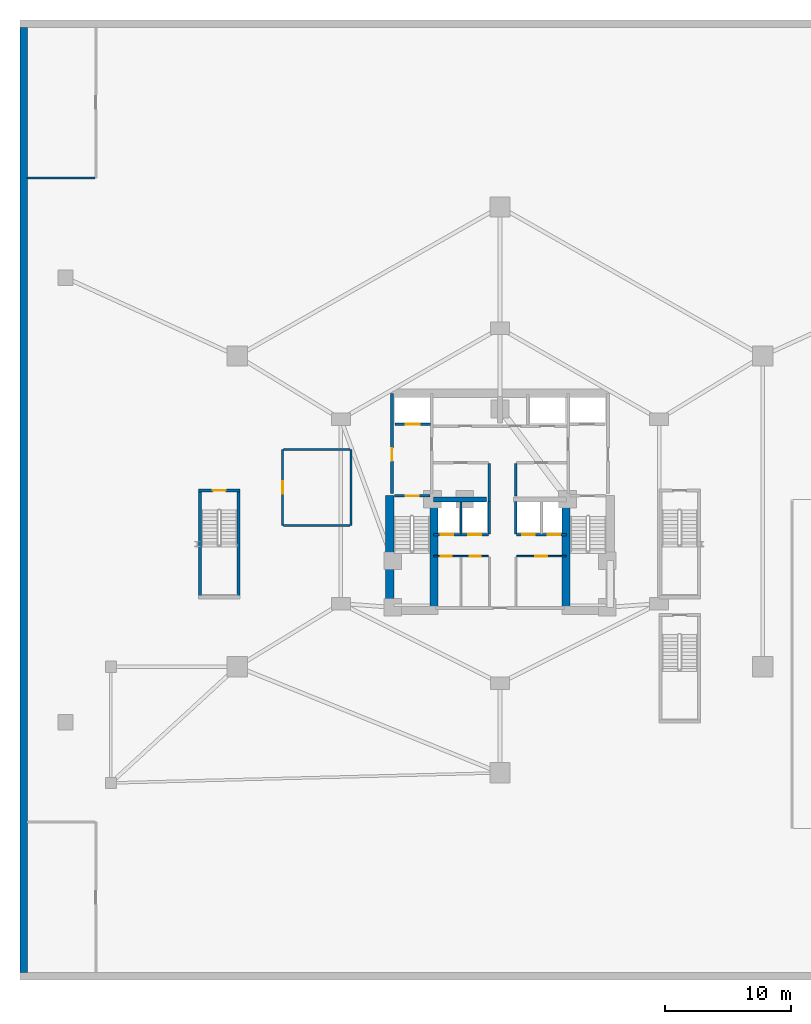
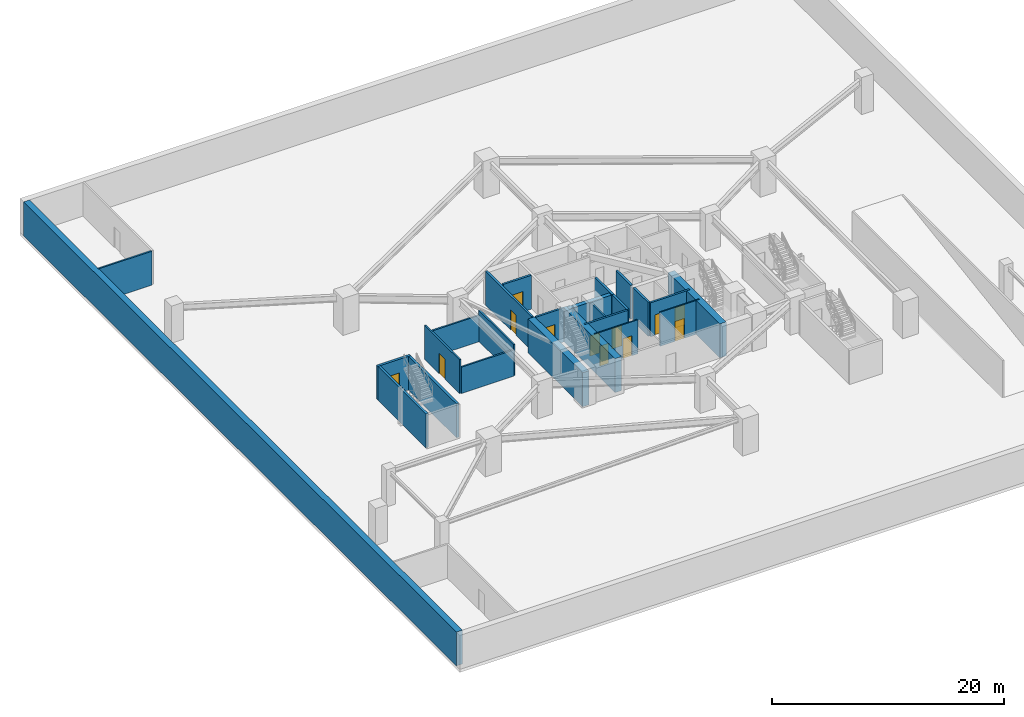
# One storey, part 6 of 12: 25 walls, 12 doors, 12 openings.
"""IFC4 building model written with IfcOpenShell, lengths in metres."""

from ifc_helpers import new_model, si_unit, direction, frame, frame_2d, origin, place, context, subcontext, project, spatial, rectangle, extrude, material, layer, layer_set, type_object, element, fill, save


model = new_model("IFC4")

# Units and contexts
model_context = context("Model", 3, precision=1e-05, world=origin(), true_north=direction((0.0, 1.0)))
body_context = subcontext(model_context, "Body", "Model", "MODEL_VIEW")
ifc_project = project(units=[si_unit("LENGTHUNIT", "METRE"), si_unit("AREAUNIT", "SQUARE_METRE"), si_unit("VOLUMEUNIT", "CUBIC_METRE"), si_unit("PLANEANGLEUNIT", "RADIAN"), si_unit("MASSUNIT", "GRAM", prefix="KILO")], contexts=[model_context])

# Site, building, storey
site_placement = place(None, origin())
site = spatial("IfcSite", under=ifc_project, at=site_placement, CompositionType="ELEMENT")
building_placement = place(site_placement, origin())
building = spatial("IfcBuilding", under=site, at=building_placement, Name="Miruveldt Soraemaru", CompositionType="ELEMENT")
storey_placement = place(building_placement, frame((0.0, 0.0, -11.699951171875)))
storey = spatial("IfcBuildingStorey", under=building, at=storey_placement, Name="B3", CompositionType="ELEMENT", Elevation=-11.699951171875)

# Wall
ifc_material_1 = material(Name="Concrete C70/85 (70 MPa)", Category="concrete")
ifc_layer_1 = layer(ifc_material_1, 0.5, Name="Concrete C70/85 (70 MPa)", Category="concrete")
ifc_layer_set_1 = layer_set([ifc_layer_1], Name="Concrete C70/85 (70 MPa)")
wall_type_1 = type_object("IfcWallType", Name="WALL-BW-500", PredefinedType="SHEAR", material=ifc_layer_set_1)
wall_1_placement = place(storey_placement, frame((38.75, 44.050048828125, 0.0), z_axis=(0.0, 0.0, 1.0), x_axis=(1.0, 0.0, 0.0)))
element("IfcWall", 1, at=wall_1_placement, inside=storey, type_object=wall_type_1, Name="B3 Core Buttress Shear Wall BW", PredefinedType="SHEAR", context=body_context, shape_type="SweptSolid", body=[
    extrude(rectangle(XDim=4.199951171875, YDim=0.39990234375, at=frame_2d((2.10009765625, 0.0))), origin(), (0.0, 0.0, 1.0), 3.579833984375),
])

# Wall, opening, door
ifc_material_2 = material(Name="Concrete C50/60 (50 MPa)", Category="concrete")
ifc_layer_2 = layer(ifc_material_2, 0.419921875, Name="Concrete C50/60 (50 MPa)", Category="concrete")
ifc_layer_set_2 = layer_set([ifc_layer_2], Name="Concrete C50/60 (50 MPa)")
wall_type_2 = type_object("IfcWallType", Name="WALL-CW-420", PredefinedType="SHEAR", material=ifc_layer_set_2)
wall_2_placement = place(storey_placement, frame((20.1298828125, 44.75, 0.0), z_axis=(0.0, 0.0, 1.0), x_axis=(1.0, 0.0, 0.0)))
wall_2 = element("IfcWall", 2, at=wall_2_placement, inside=storey, type_object=wall_type_2, Name="B3 Protected Exit Stair ST-3 Structural Shaft Wall N", PredefinedType="SHEAR", context=body_context, shape_type="SweptSolid", body=[
    extrude(rectangle(XDim=3.2900390625, YDim=0.239990234375, at=frame_2d((1.64501953125, 0.0))), origin(), (0.0, 0.0, 1.0), 3.579833984375),
])
opening_1_placement = place(wall_2_placement, frame((1.14501953125, 0.0, 0.0)))
opening_1 = element("IfcOpeningElement", 3, at=opening_1_placement, cuts=wall_2, Name="Opening FD1", PredefinedType="OPENING", context=body_context, shape_type="SweptSolid", body=[
    extrude(rectangle(XDim=1.0, YDim=2.14990234375, at=frame_2d((0.5, 1.074951171875))), frame((0.0, 0.1298828125, 0.0), z_axis=(0.0, -1.0, 0.0), x_axis=(1.0, 0.0, 0.0)), (0.0, 0.0, 1.0), 0.260009765625),
])
ifc_material_3 = material(Name="Anodised aluminium EN AW-6063 T6", Category="aluminium")
door_type_1 = type_object("IfcDoorType", Name="DOOR-FD1-1000", OperationType="NOTDEFINED", PredefinedType="DOOR", material=ifc_material_3)
door_1_placement = place(opening_1_placement, frame((1.0, 0.0, 0.0), z_axis=(0.0, 0.0, 1.0), x_axis=(-1.0, 0.0, 0.0)))
door_1 = element("IfcDoor", 4, at=door_1_placement, inside=storey, type_object=door_type_1, Name="B3 Protected Exit Stair ST-3 Fire Door", OperationType="SINGLE_SWING_LEFT", OverallHeight=2.14990234375, OverallWidth=1.0, PredefinedType="DOOR", context=body_context, shape_type="SweptSolid", body=[
    extrude(rectangle(XDim=1.0, YDim=2.14990234375, at=frame_2d((0.5, 1.074951171875))), frame((0.0, 0.02490234375, 0.0), z_axis=(0.0, -1.0, 0.0), x_axis=(1.0, 0.0, 0.0)), (0.0, 0.0, 1.0), 0.050048828125),
])
fill(opening_1, door_1)

# Walls
for number, where, z_axis, x_axis, name in (
    (5, (20.25, 36.35009765625, 0.0), (0.0, 0.0, 1.0), (0.0, 1.0, 0.0), "B3 Protected Exit Stair ST-3 Structural Shaft Wall W"),
    (6, (23.300048828125, 36.35009765625, 0.0), (0.0, 0.0, 1.0), (0.0, 1.0, 0.0), "B3 Protected Exit Stair ST-3 Structural Shaft Wall E"),
):
    element("IfcWall", number, at=place(storey_placement, frame(where, z_axis=z_axis, x_axis=x_axis)), inside=storey, type_object=wall_type_2, Name=name, PredefinedType="SHEAR", context=body_context, shape_type="SweptSolid", body=[
        extrude(rectangle(XDim=8.349853515625, YDim=0.239990234375, at=frame_2d((4.1748046875, 0.0))), origin(), (0.0, 0.0, 1.0), 3.579833984375),
    ])
ifc_material_4 = material(Name="Concrete C80/95 (80 MPa)", Category="concrete")
ifc_layer_3 = layer(ifc_material_4, 0.64990234375, Name="Concrete C80/95 (80 MPa)", Category="concrete")
ifc_layer_set_3 = layer_set([ifc_layer_3], Name="Concrete C80/95 (80 MPa)")
wall_type_3 = type_object("IfcWallType", Name="WALL-CW-650", PredefinedType="SHEAR", material=ifc_layer_set_3)
wall_3_placement = place(storey_placement, frame((35.27490234375, 34.949951171875, 0.0), z_axis=(0.0, 0.0, 1.0), x_axis=(0.0, 1.0, 0.0)))
element("IfcWall", 7, at=wall_3_placement, inside=storey, type_object=wall_type_3, Name="B3 Central Core Shear Wall W1", PredefinedType="SHEAR", context=body_context, shape_type="SweptSolid", body=[
    extrude(rectangle(XDim=9.400146484375, YDim=0.64990234375, at=frame_2d((4.7001953125, 0.0))), origin(), (0.0, 0.0, 1.0), 3.579833984375),
])
for number, where, z_axis, x_axis, name in (
    (8, (38.77490234375, 35.39990234375, 0.0), (0.0, 0.0, 1.0), (0.0, 1.0, 0.0), "B3 Central Core Shear Wall SW-INT"),
    (9, (49.22509765625, 35.39990234375, 0.0), (0.0, 0.0, 1.0), (0.0, 1.0, 0.0), "B3 Central Core Shear Wall SE-INT"),
):
    element("IfcWall", number, at=place(storey_placement, frame(where, z_axis=z_axis, x_axis=x_axis)), inside=storey, type_object=wall_type_3, Name=name, PredefinedType="SHEAR", context=body_context, shape_type="SweptSolid", body=[
        extrude(rectangle(XDim=8.9501953125, YDim=0.64990234375, at=frame_2d((4.47509765625, 0.0))), origin(), (0.0, 0.0, 1.0), 3.579833984375),
    ])

# Wall, openings, doors
ifc_material_5 = material(Name="Gypsum plasterboard lining", Category="gypsum")
ifc_layer_4 = layer(ifc_material_5, 0.1201171875, Name="Gypsum plasterboard lining", Category="gypsum")
ifc_layer_set_4 = layer_set([ifc_layer_4], Name="Gypsum plasterboard lining")
wall_type_4 = type_object("IfcWallType", Name="WALL-INT-P120", PredefinedType="PARTITIONING", material=ifc_layer_set_4)
wall_4_placement = place(storey_placement, frame((38.75, 39.550048828125, 0.0), z_axis=(0.0, 0.0, 1.0), x_axis=(1.0, 0.0, 0.0)))
wall_4 = element("IfcWall", 10, at=wall_4_placement, inside=storey, type_object=wall_type_4, Name="B3 Core Compartment Wall CSW-N", PredefinedType="PARTITIONING", context=body_context, shape_type="SweptSolid", body=[
    extrude(rectangle(XDim=4.330078125, YDim=0.1201171875, at=frame_2d((2.1650390625, 0.0))), origin(), (0.0, 0.0, 1.0), 3.579833984375),
])
opening_2_placement = place(wall_4_placement, frame((0.56005859375, 0.0, 0.0)))
opening_2 = element("IfcOpeningElement", 11, at=opening_2_placement, cuts=wall_4, Name="Opening D4", PredefinedType="OPENING", context=body_context, shape_type="SweptSolid", body=[
    extrude(rectangle(XDim=0.8798828125, YDim=2.10009765625, at=frame_2d((0.43994140625, 1.050048828125))), frame((0.0, 0.070068359375, 0.0), z_axis=(0.0, -1.0, 0.0), x_axis=(1.0, 0.0, 0.0)), (0.0, 0.0, 1.0), 0.14013671875),
])
opening_3_placement = place(wall_4_placement, frame((2.860107421875, 0.0, 0.0)))
opening_3 = element("IfcOpeningElement", 12, at=opening_3_placement, cuts=wall_4, Name="Opening D4", PredefinedType="OPENING", context=body_context, shape_type="SweptSolid", body=[
    extrude(rectangle(XDim=0.8798828125, YDim=2.10009765625, at=frame_2d((0.43994140625, 1.050048828125))), frame((0.0, 0.070068359375, 0.0), z_axis=(0.0, -1.0, 0.0), x_axis=(1.0, 0.0, 0.0)), (0.0, 0.0, 1.0), 0.14013671875),
])
door_type_2 = type_object("IfcDoorType", Name="DOOR-INT-880", OperationType="NOTDEFINED", PredefinedType="DOOR", material=ifc_material_3)
door_2_placement = place(opening_2_placement, origin())
door_2 = element("IfcDoor", 13, at=door_2_placement, inside=storey, type_object=door_type_2, Name="B3 Fire Door", OperationType="SINGLE_SWING_LEFT", OverallHeight=2.10009765625, OverallWidth=0.8798828125, PredefinedType="DOOR", context=body_context, shape_type="SweptSolid", body=[
    extrude(rectangle(XDim=0.8798828125, YDim=2.10009765625, at=frame_2d((0.43994140625, 1.050048828125))), frame((0.0, 0.02490234375, 0.0), z_axis=(0.0, -1.0, 0.0), x_axis=(1.0, 0.0, 0.0)), (0.0, 0.0, 1.0), 0.050048828125),
])
fill(opening_2, door_2)
door_3_placement = place(opening_3_placement, origin())
door_3 = element("IfcDoor", 14, at=door_3_placement, inside=storey, type_object=door_type_2, Name="B3 Fire Door", OperationType="SINGLE_SWING_LEFT", OverallHeight=2.10009765625, OverallWidth=0.8798828125, PredefinedType="DOOR", context=body_context, shape_type="SweptSolid", body=[
    extrude(rectangle(XDim=0.8798828125, YDim=2.10009765625, at=frame_2d((0.43994140625, 1.050048828125))), frame((0.0, 0.02490234375, 0.0), z_axis=(0.0, -1.0, 0.0), x_axis=(1.0, 0.0, 0.0)), (0.0, 0.0, 1.0), 0.050048828125),
])
fill(opening_3, door_3)

# Wall, opening, door
wall_5_placement = place(storey_placement, frame((45.320068359375, 39.550048828125, 0.0), z_axis=(0.0, 0.0, 1.0), x_axis=(1.0, 0.0, 0.0)))
wall_5 = element("IfcWall", 15, at=wall_5_placement, inside=storey, type_object=wall_type_4, Name="B3 Core Compartment Wall CSE-N", PredefinedType="PARTITIONING", context=body_context, shape_type="SweptSolid", body=[
    extrude(rectangle(XDim=3.929931640625, YDim=0.1201171875, at=frame_2d((1.96484375, 0.0))), origin(), (0.0, 0.0, 1.0), 3.579833984375),
])
opening_4_placement = place(wall_5_placement, frame((1.489990234375, 0.0, 0.0)))
opening_4 = element("IfcOpeningElement", 16, at=opening_4_placement, cuts=wall_5, Name="Opening D3A", PredefinedType="OPENING", context=body_context, shape_type="SweptSolid", body=[
    extrude(rectangle(XDim=0.919921875, YDim=2.10009765625, at=frame_2d((0.4599609375, 1.050048828125))), frame((0.0, 0.070068359375, 0.0), z_axis=(0.0, -1.0, 0.0), x_axis=(1.0, 0.0, 0.0)), (0.0, 0.0, 1.0), 0.14013671875),
])
door_type_3 = type_object("IfcDoorType", Name="DOOR-INT-920", OperationType="NOTDEFINED", PredefinedType="DOOR", material=ifc_material_3)
door_4_placement = place(opening_4_placement, origin())
door_4 = element("IfcDoor", 17, at=door_4_placement, inside=storey, type_object=door_type_3, Name="B3 Fire Door", OperationType="SINGLE_SWING_LEFT", OverallHeight=2.10009765625, OverallWidth=0.919921875, PredefinedType="DOOR", context=body_context, shape_type="SweptSolid", body=[
    extrude(rectangle(XDim=0.919921875, YDim=2.10009765625, at=frame_2d((0.4599609375, 1.050048828125))), frame((0.0, 0.02490234375, 0.0), z_axis=(0.0, -1.0, 0.0), x_axis=(1.0, 0.0, 0.0)), (0.0, 0.0, 1.0), 0.050048828125),
])
fill(opening_4, door_4)

ifc_material_6 = material(Name="Concrete C40/50 (40 MPa)", Category="concrete")
ifc_layer_5 = layer(ifc_material_6, 0.159912109375, Name="Concrete C40/50 (40 MPa)", Category="concrete")
ifc_layer_set_5 = layer_set([ifc_layer_5], Name="Concrete C40/50 (40 MPa)")
wall_type_5 = type_object("IfcWallType", Name="WALL-INT-RC160", PredefinedType="SOLIDWALL", material=ifc_layer_set_5)
wall_6_placement = place(storey_placement, frame((26.800048828125, 42.0, 0.0), z_axis=(0.0, 0.0, 1.0), x_axis=(0.0, 1.0, 0.0)))
wall_6 = element("IfcWall", 18, at=wall_6_placement, inside=storey, type_object=wall_type_5, Name="B3 Partition Wall 5", PredefinedType="SOLIDWALL", context=body_context, shape_type="SweptSolid", body=[
    extrude(rectangle(XDim=6.0, YDim=0.159912109375, at=frame_2d((3.0, 0.0))), origin(), (0.0, 0.0, 1.0), 3.579833984375),
])
opening_5_placement = place(wall_6_placement, frame((2.5, 0.0, 0.0)))
opening_5 = element("IfcOpeningElement", 19, at=opening_5_placement, cuts=wall_6, Name="Opening FD1", PredefinedType="OPENING", context=body_context, shape_type="SweptSolid", body=[
    extrude(rectangle(XDim=1.0, YDim=2.14990234375, at=frame_2d((0.5, 1.074951171875))), frame((0.0, 0.08984375, 0.0), z_axis=(0.0, -1.0, 0.0), x_axis=(1.0, 0.0, 0.0)), (0.0, 0.0, 1.0), 0.179931640625),
])
door_5_placement = place(opening_5_placement, origin())
door_5 = element("IfcDoor", 20, at=door_5_placement, inside=storey, type_object=door_type_1, Name="B3 B3 Seasonal Resident Store Fire Door", OperationType="SINGLE_SWING_LEFT", OverallHeight=2.14990234375, OverallWidth=1.0, PredefinedType="DOOR", context=body_context, shape_type="SweptSolid", body=[
    extrude(rectangle(XDim=1.0, YDim=2.14990234375, at=frame_2d((0.5, 1.074951171875))), frame((0.0, 0.02490234375, 0.0), z_axis=(0.0, -1.0, 0.0), x_axis=(1.0, 0.0, 0.0)), (0.0, 0.0, 1.0), 0.050048828125),
])
fill(opening_5, door_5)

# Walls
wall_7_placement = place(storey_placement, frame((32.199951171875, 48.0, 0.0), z_axis=(0.0, 0.0, 1.0), x_axis=(0.0, -1.0, 0.0)))
element("IfcWall", 21, at=wall_7_placement, inside=storey, type_object=wall_type_5, Name="B3 Partition Wall 7", PredefinedType="SOLIDWALL", context=body_context, shape_type="SweptSolid", body=[
    extrude(rectangle(XDim=6.0, YDim=0.159912109375, at=frame_2d((3.0, 0.0))), origin(), (0.0, 0.0, 1.0), 3.26806640625),
])
wall_8_placement = place(storey_placement, frame((11.919921875, 69.5, 0.0), z_axis=(0.0, 0.0, 1.0), x_axis=(-1.0, 0.0, 0.0)))
element("IfcWall", 22, at=wall_8_placement, inside=storey, type_object=wall_type_5, Name="B3 Partition Wall 2", PredefinedType="SOLIDWALL", context=body_context, shape_type="SweptSolid", body=[
    extrude(rectangle(XDim=5.369873046875, YDim=0.159912109375, at=frame_2d((2.68505859375, 0.0))), origin(), (0.0, 0.0, 1.0), 3.579833984375),
])
for number, where, z_axis, x_axis, name in (
    (23, (26.8798828125, 48.0, 0.0), (0.0, 0.0, 1.0), (1.0, 0.0, 0.0), "B3 Partition Wall 6"),
    (24, (32.1201171875, 42.0, 0.0), (0.0, 0.0, 1.0), (-1.0, 0.0, 0.0), "B3 Partition Wall 8"),
):
    element("IfcWall", number, at=place(storey_placement, frame(where, z_axis=z_axis, x_axis=x_axis)), inside=storey, type_object=wall_type_5, Name=name, PredefinedType="SOLIDWALL", context=body_context, shape_type="SweptSolid", body=[
        extrude(rectangle(XDim=5.240234375, YDim=0.159912109375, at=frame_2d((2.6201171875, 0.0))), origin(), (0.0, 0.0, 1.0), 2.76806640625),
    ])
wall_9_placement = place(storey_placement, frame((40.89990234375, 41.320068359375, 0.0), z_axis=(0.0, 0.0, 1.0), x_axis=(0.0, 1.0, 0.0)))
element("IfcWall", 25, at=wall_9_placement, inside=storey, type_object=wall_type_5, Name="B3 Core Compartment Wall PLL-DW", PredefinedType="SOLIDWALL", context=body_context, shape_type="SweptSolid", body=[
    extrude(rectangle(XDim=2.530029296875, YDim=0.159912109375, at=frame_2d((1.26513671875, 0.0))), origin(), (0.0, 0.0, 1.0), 3.579833984375),
])

# Wall, opening, door
ifc_layer_6 = layer(ifc_material_6, 0.199951171875, Name="Concrete C40/50 (40 MPa)", Category="concrete")
ifc_layer_set_6 = layer_set([ifc_layer_6], Name="Concrete C40/50 (40 MPa)")
wall_type_6 = type_object("IfcWallType", Name="WALL-INT-RC200", PredefinedType="SOLIDWALL", material=ifc_layer_set_6)
wall_10_placement = place(storey_placement, frame((35.449951171875, 44.5, 0.0), z_axis=(0.0, 0.0, 1.0), x_axis=(0.0, 1.0, 0.0)))
wall_10 = element("IfcWall", 26, at=wall_10_placement, inside=storey, type_object=wall_type_6, Name="B3 Core Compartment Wall FFW-OUT", PredefinedType="SOLIDWALL", context=body_context, shape_type="SweptSolid", body=[
    extrude(rectangle(XDim=7.919921875, YDim=0.199951171875, at=frame_2d((3.9599609375, 0.0))), origin(), (0.0, 0.0, 1.0), 3.579833984375),
])
opening_6_placement = place(wall_10_placement, frame((2.60009765625, 0.0, 0.0)))
opening_6 = element("IfcOpeningElement", 27, at=opening_6_placement, cuts=wall_10, Name="Opening FD1", PredefinedType="OPENING", context=body_context, shape_type="SweptSolid", body=[
    extrude(rectangle(XDim=1.0, YDim=2.14990234375, at=frame_2d((0.5, 1.074951171875))), frame((0.0, 0.10986328125, 0.0), z_axis=(0.0, -1.0, 0.0), x_axis=(1.0, 0.0, 0.0)), (0.0, 0.0, 1.0), 0.219970703125),
])
door_6_placement = place(opening_6_placement, origin())
door_6 = element("IfcDoor", 28, at=door_6_placement, inside=storey, type_object=door_type_1, Name="B3 West Firefighting Lobby Exit Door", OperationType="SINGLE_SWING_LEFT", OverallHeight=2.14990234375, OverallWidth=1.0, PredefinedType="DOOR", context=body_context, shape_type="SweptSolid", body=[
    extrude(rectangle(XDim=1.0, YDim=2.14990234375, at=frame_2d((0.5, 1.074951171875))), frame((0.0, 0.02490234375, 0.0), z_axis=(0.0, -1.0, 0.0), x_axis=(1.0, 0.0, 0.0)), (0.0, 0.0, 1.0), 0.050048828125),
])
fill(opening_6, door_6)

# Wall, openings, doors
wall_11_placement = place(storey_placement, frame((38.75, 41.25, 0.0), z_axis=(0.0, 0.0, 1.0), x_axis=(1.0, 0.0, 0.0)))
wall_11 = element("IfcWall", 29, at=wall_11_placement, inside=storey, type_object=wall_type_6, Name="B3 Core Compartment Wall LBW-S", PredefinedType="SOLIDWALL", context=body_context, shape_type="SweptSolid", body=[
    extrude(rectangle(XDim=4.330078125, YDim=0.199951171875, at=frame_2d((2.1650390625, 0.0))), origin(), (0.0, 0.0, 1.0), 3.579833984375),
])
opening_7_placement = place(wall_11_placement, frame((0.550048828125, 0.0, 0.0)))
opening_7 = element("IfcOpeningElement", 30, at=opening_7_placement, cuts=wall_11, Name="Opening LD1B", PredefinedType="OPENING", context=body_context, shape_type="SweptSolid", body=[
    extrude(rectangle(XDim=1.0, YDim=2.14990234375, at=frame_2d((0.5, 1.074951171875))), frame((0.0, 0.10986328125, 0.0), z_axis=(0.0, -1.0, 0.0), x_axis=(1.0, 0.0, 0.0)), (0.0, 0.0, 1.0), 0.219970703125),
])
opening_8_placement = place(wall_11_placement, frame((2.75, 0.0, 0.0)))
opening_8 = element("IfcOpeningElement", 31, at=opening_8_placement, cuts=wall_11, Name="Opening LD1B", PredefinedType="OPENING", context=body_context, shape_type="SweptSolid", body=[
    extrude(rectangle(XDim=1.0, YDim=2.14990234375, at=frame_2d((0.5, 1.074951171875))), frame((0.0, 0.10986328125, 0.0), z_axis=(0.0, -1.0, 0.0), x_axis=(1.0, 0.0, 0.0)), (0.0, 0.0, 1.0), 0.219970703125),
])
door_type_4 = type_object("IfcDoorType", Name="DOOR-LD1-1000", OperationType="SLIDING_TO_LEFT", PredefinedType="DOOR", material=ifc_material_3)
door_7_placement = place(opening_7_placement, frame((1.0, 0.0, 0.0), z_axis=(0.0, 0.0, 1.0), x_axis=(-1.0, 0.0, 0.0)))
door_7 = element("IfcDoor", 32, at=door_7_placement, inside=storey, type_object=door_type_4, Name="B3 PL-L1 Landing Door", OperationType="SLIDING_TO_LEFT", OverallHeight=2.14990234375, OverallWidth=1.0, PredefinedType="DOOR", context=body_context, shape_type="SweptSolid", body=[
    extrude(rectangle(XDim=1.0, YDim=2.14990234375, at=frame_2d((0.5, 1.074951171875))), frame((0.0, 0.02490234375, 0.0), z_axis=(0.0, -1.0, 0.0), x_axis=(1.0, 0.0, 0.0)), (0.0, 0.0, 1.0), 0.050048828125),
])
fill(opening_7, door_7)
door_8_placement = place(opening_8_placement, frame((1.0, 0.0, 0.0), z_axis=(0.0, 0.0, 1.0), x_axis=(-1.0, 0.0, 0.0)))
door_8 = element("IfcDoor", 33, at=door_8_placement, inside=storey, type_object=door_type_4, Name="B3 PL-L2 Landing Door", OperationType="SLIDING_TO_LEFT", OverallHeight=2.14990234375, OverallWidth=1.0, PredefinedType="DOOR", context=body_context, shape_type="SweptSolid", body=[
    extrude(rectangle(XDim=1.0, YDim=2.14990234375, at=frame_2d((0.5, 1.074951171875))), frame((0.0, 0.02490234375, 0.0), z_axis=(0.0, -1.0, 0.0), x_axis=(1.0, 0.0, 0.0)), (0.0, 0.0, 1.0), 0.050048828125),
])
fill(opening_8, door_8)

wall_12_placement = place(storey_placement, frame((45.320068359375, 41.25, 0.0), z_axis=(0.0, 0.0, 1.0), x_axis=(1.0, 0.0, 0.0)))
wall_12 = element("IfcWall", 34, at=wall_12_placement, inside=storey, type_object=wall_type_6, Name="B3 Core Compartment Wall LBE-S", PredefinedType="SOLIDWALL", context=body_context, shape_type="SweptSolid", body=[
    extrude(rectangle(XDim=3.929931640625, YDim=0.199951171875, at=frame_2d((1.96484375, 0.0))), origin(), (0.0, 0.0, 1.0), 3.579833984375),
])
opening_9_placement = place(wall_12_placement, frame((0.449951171875, 0.0, 0.0)))
opening_9 = element("IfcOpeningElement", 35, at=opening_9_placement, cuts=wall_12, Name="Opening LD1B", PredefinedType="OPENING", context=body_context, shape_type="SweptSolid", body=[
    extrude(rectangle(XDim=1.0, YDim=2.14990234375, at=frame_2d((0.5, 1.074951171875))), frame((0.0, 0.10986328125, 0.0), z_axis=(0.0, -1.0, 0.0), x_axis=(1.0, 0.0, 0.0)), (0.0, 0.0, 1.0), 0.219970703125),
])
opening_10_placement = place(wall_12_placement, frame((2.449951171875, 0.0, 0.0)))
opening_10 = element("IfcOpeningElement", 36, at=opening_10_placement, cuts=wall_12, Name="Opening LD1B", PredefinedType="OPENING", context=body_context, shape_type="SweptSolid", body=[
    extrude(rectangle(XDim=1.0, YDim=2.14990234375, at=frame_2d((0.5, 1.074951171875))), frame((0.0, 0.10986328125, 0.0), z_axis=(0.0, -1.0, 0.0), x_axis=(1.0, 0.0, 0.0)), (0.0, 0.0, 1.0), 0.219970703125),
])
door_9_placement = place(opening_9_placement, frame((1.0, 0.0, 0.0), z_axis=(0.0, 0.0, 1.0), x_axis=(-1.0, 0.0, 0.0)))
door_9 = element("IfcDoor", 37, at=door_9_placement, inside=storey, type_object=door_type_4, Name="B3 PL-L3 Landing Door", OperationType="SLIDING_TO_LEFT", OverallHeight=2.14990234375, OverallWidth=1.0, PredefinedType="DOOR", context=body_context, shape_type="SweptSolid", body=[
    extrude(rectangle(XDim=1.0, YDim=2.14990234375, at=frame_2d((0.5, 1.074951171875))), frame((0.0, 0.02490234375, 0.0), z_axis=(0.0, -1.0, 0.0), x_axis=(1.0, 0.0, 0.0)), (0.0, 0.0, 1.0), 0.050048828125),
])
fill(opening_9, door_9)
door_10_placement = place(opening_10_placement, frame((1.0, 0.0, 0.0), z_axis=(0.0, 0.0, 1.0), x_axis=(-1.0, 0.0, 0.0)))
door_10 = element("IfcDoor", 38, at=door_10_placement, inside=storey, type_object=door_type_4, Name="B3 PL-L4 Landing Door", OperationType="SLIDING_TO_LEFT", OverallHeight=2.14990234375, OverallWidth=1.0, PredefinedType="DOOR", context=body_context, shape_type="SweptSolid", body=[
    extrude(rectangle(XDim=1.0, YDim=2.14990234375, at=frame_2d((0.5, 1.074951171875))), frame((0.0, 0.02490234375, 0.0), z_axis=(0.0, -1.0, 0.0), x_axis=(1.0, 0.0, 0.0)), (0.0, 0.0, 1.0), 0.050048828125),
])
fill(opening_10, door_10)

# Wall, opening, door
wall_13_placement = place(storey_placement, frame((35.64990234375, 44.320068359375, 0.0), z_axis=(0.0, 0.0, 1.0), x_axis=(1.0, 0.0, 0.0)))
wall_13 = element("IfcWall", 39, at=wall_13_placement, inside=storey, type_object=wall_type_6, Name="B3 Core Compartment Wall ST1-N", PredefinedType="SOLIDWALL", context=body_context, shape_type="SweptSolid", body=[
    extrude(rectangle(XDim=2.800048828125, YDim=0.199951171875, at=frame_2d((1.39990234375, 0.0))), origin(), (0.0, 0.0, 1.0), 3.579833984375),
])
opening_11_placement = place(wall_13_placement, frame((0.89990234375, 0.0, 0.0)))
opening_11 = element("IfcOpeningElement", 40, at=opening_11_placement, cuts=wall_13, Name="Opening FD1", PredefinedType="OPENING", context=body_context, shape_type="SweptSolid", body=[
    extrude(rectangle(XDim=1.0, YDim=2.14990234375, at=frame_2d((0.5, 1.074951171875))), frame((0.0, 0.10986328125, 0.0), z_axis=(0.0, -1.0, 0.0), x_axis=(1.0, 0.0, 0.0)), (0.0, 0.0, 1.0), 0.219970703125),
])
door_11_placement = place(opening_11_placement, frame((1.0, 0.0, 0.0), z_axis=(0.0, 0.0, 1.0), x_axis=(-1.0, 0.0, 0.0)))
door_11 = element("IfcDoor", 41, at=door_11_placement, inside=storey, type_object=door_type_1, Name="B3 Stair ST-1 Fire Door", OperationType="SINGLE_SWING_LEFT", OverallHeight=2.14990234375, OverallWidth=1.0, PredefinedType="DOOR", context=body_context, shape_type="SweptSolid", body=[
    extrude(rectangle(XDim=1.0, YDim=2.14990234375, at=frame_2d((0.5, 1.074951171875))), frame((0.0, 0.02490234375, 0.0), z_axis=(0.0, -1.0, 0.0), x_axis=(1.0, 0.0, 0.0)), (0.0, 0.0, 1.0), 0.050048828125),
])
fill(opening_11, door_11)

wall_14_placement = place(storey_placement, frame((35.679931640625, 50.0, 0.0), z_axis=(0.0, 0.0, 1.0), x_axis=(1.0, 0.0, 0.0)))
wall_14 = element("IfcWall", 42, at=wall_14_placement, inside=storey, type_object=wall_type_6, Name="B3 Core Compartment Wall FFL1-S", PredefinedType="SOLIDWALL", context=body_context, shape_type="SweptSolid", body=[
    extrude(rectangle(XDim=2.800048828125, YDim=0.199951171875, at=frame_2d((1.39990234375, 0.0))), origin(), (0.0, 0.0, 1.0), 3.579833984375),
])
opening_12_placement = place(wall_14_placement, frame((0.85009765625, 0.0, 0.0)))
opening_12 = element("IfcOpeningElement", 43, at=opening_12_placement, cuts=wall_14, Name="Opening LD2", PredefinedType="OPENING", context=body_context, shape_type="SweptSolid", body=[
    extrude(rectangle(XDim=1.10009765625, YDim=2.14990234375, at=frame_2d((0.550048828125, 1.074951171875))), frame((0.0, 0.10986328125, 0.0), z_axis=(0.0, -1.0, 0.0), x_axis=(1.0, 0.0, 0.0)), (0.0, 0.0, 1.0), 0.219970703125),
])
door_type_5 = type_object("IfcDoorType", Name="DOOR-LD2-1100", OperationType="SLIDING_TO_LEFT", PredefinedType="DOOR", material=ifc_material_3)
door_12_placement = place(opening_12_placement, origin())
door_12 = element("IfcDoor", 44, at=door_12_placement, inside=storey, type_object=door_type_5, Name="B3 FFL-1 Landing Door", OperationType="SLIDING_TO_LEFT", OverallHeight=2.14990234375, OverallWidth=1.10009765625, PredefinedType="DOOR", context=body_context, shape_type="SweptSolid", body=[
    extrude(rectangle(XDim=1.10009765625, YDim=2.14990234375, at=frame_2d((0.550048828125, 1.074951171875))), frame((0.0, 0.02490234375, 0.0), z_axis=(0.0, -1.0, 0.0), x_axis=(1.0, 0.0, 0.0)), (0.0, 0.0, 1.0), 0.050048828125),
])
fill(opening_12, door_12)

# Walls
wall_15_placement = place(storey_placement, frame((43.14990234375, 43.8798828125, 0.0), z_axis=(0.0, 0.0, 1.0), x_axis=(0.0, 1.0, 0.0)))
element("IfcWall", 45, at=wall_15_placement, inside=storey, type_object=wall_type_6, Name="B3 Core Compartment Wall SP-WB", PredefinedType="SOLIDWALL", context=body_context, shape_type="SweptSolid", body=[
    extrude(rectangle(XDim=3.0, YDim=0.199951171875, at=frame_2d((1.5, 0.0))), origin(), (0.0, 0.0, 1.0), 3.579833984375),
])
wall_16_placement = place(storey_placement, frame((45.25, 44.300048828125, 0.0), z_axis=(0.0, 0.0, 1.0), x_axis=(0.0, 1.0, 0.0)))
element("IfcWall", 46, at=wall_16_placement, inside=storey, type_object=wall_type_6, Name="B3 Core Compartment Wall SP-EB", PredefinedType="SOLIDWALL", context=body_context, shape_type="SweptSolid", body=[
    extrude(rectangle(XDim=2.579833984375, YDim=0.199951171875, at=frame_2d((1.2900390625, 0.0))), origin(), (0.0, 0.0, 1.0), 3.579833984375),
])
for number, where, z_axis, x_axis, name in (
    (47, (43.14990234375, 41.320068359375, 0.0), (0.0, 0.0, 1.0), (0.0, 1.0, 0.0), "B3 Core Compartment Wall SP-WC"),
    (48, (45.25, 41.320068359375, 0.0), (0.0, 0.0, 1.0), (0.0, 1.0, 0.0), "B3 Core Compartment Wall SP-EC"),
):
    element("IfcWall", number, at=place(storey_placement, frame(where, z_axis=z_axis, x_axis=x_axis)), inside=storey, type_object=wall_type_6, Name=name, PredefinedType="SOLIDWALL", context=body_context, shape_type="SweptSolid", body=[
        extrude(rectangle(XDim=2.559814453125, YDim=0.199951171875, at=frame_2d((1.27978515625, 0.0))), origin(), (0.0, 0.0, 1.0), 3.579833984375),
    ])
ifc_layer_7 = layer(ifc_material_2, 0.60009765625, Name="Concrete C50/60 (50 MPa)", Category="concrete")
ifc_layer_set_7 = layer_set([ifc_layer_7], Name="Concrete C50/60 (50 MPa)")
wall_type_7 = type_object("IfcWallType", Name="WALL-RET-600", PredefinedType="SOLIDWALL", material=ifc_layer_set_7)
wall_17_placement = place(storey_placement, frame((6.300048828125, 81.39990234375, 0.0), z_axis=(0.0, 0.0, 1.0), x_axis=(0.0, -1.0, 0.0)))
element("IfcWall", 49, at=wall_17_placement, inside=storey, type_object=wall_type_7, Name="B3 Perimeter Slurry Retaining Wall W", PredefinedType="SOLIDWALL", context=body_context, shape_type="SweptSolid", body=[
    extrude(rectangle(XDim=74.7998046875, YDim=0.60009765625, at=frame_2d((37.39990234375, 0.0))), origin(), (0.0, 0.0, 1.0), 3.579833984375),
])

save(model, "model.ifc")
